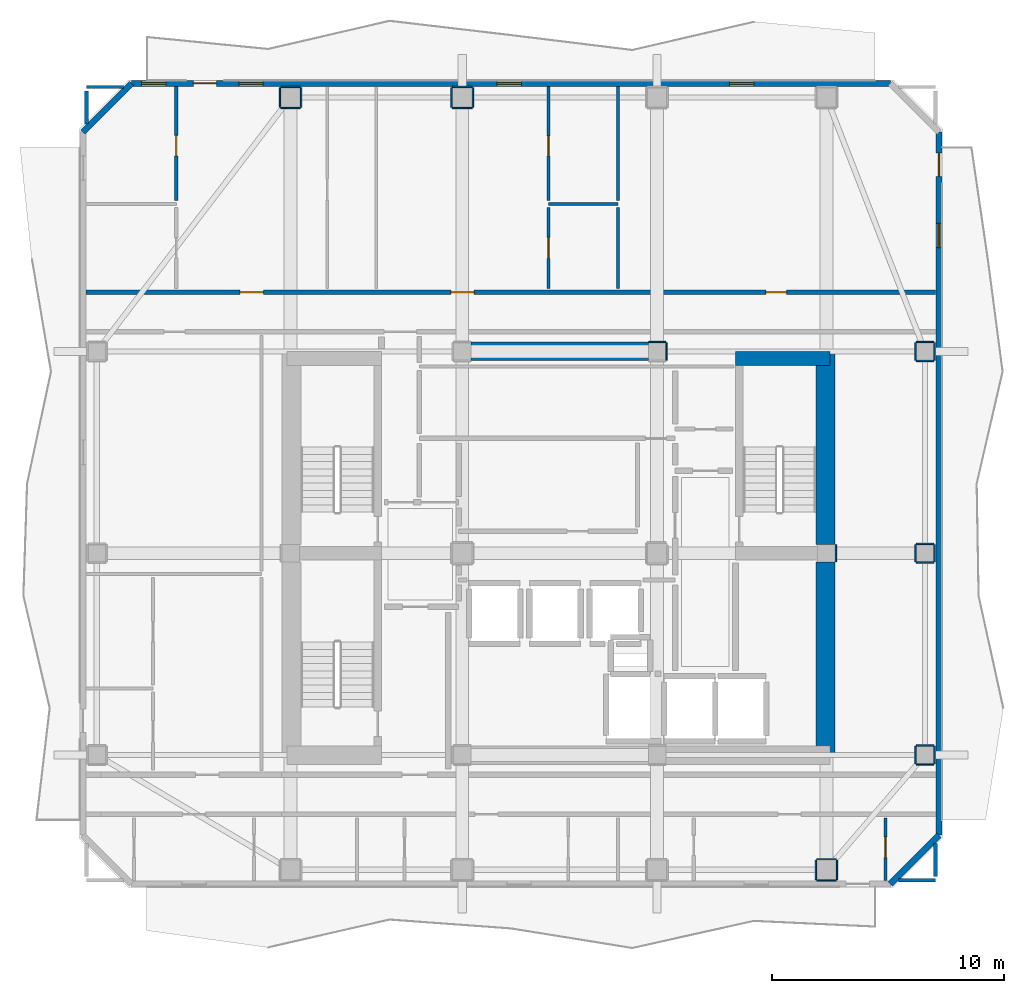
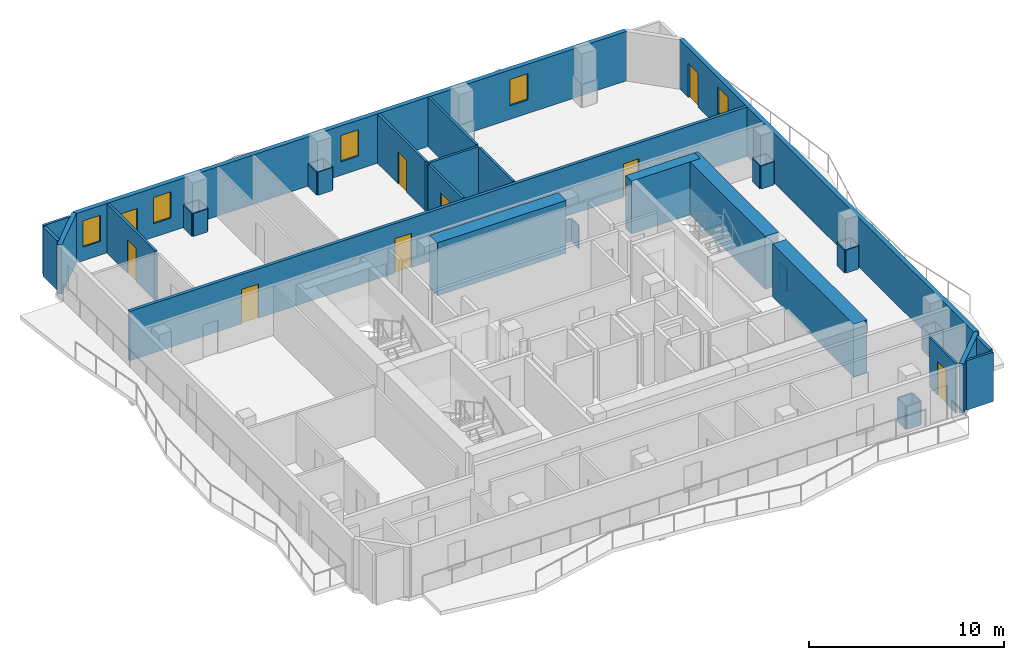
# One storey, part 5 of 10: 47 walls, 9 doors, 5 windows, 14 openings.
"""IFC4 building model written with IfcOpenShell, lengths in metres."""

from ifc_helpers import new_model, si_unit, direction, frame, frame_2d, origin, place, context, subcontext, project, spatial, rectangle, extrude, material, layer, layer_set, type_object, element, fill, save


model = new_model("IFC4")

# Units and contexts
model_context = context("Model", 3, precision=1e-05, world=origin(), true_north=direction((0.0, 1.0)))
body_context = subcontext(model_context, "Body", "Model", "MODEL_VIEW")
ifc_project = project(units=[si_unit("LENGTHUNIT", "METRE"), si_unit("AREAUNIT", "SQUARE_METRE"), si_unit("VOLUMEUNIT", "CUBIC_METRE"), si_unit("PLANEANGLEUNIT", "RADIAN"), si_unit("MASSUNIT", "GRAM", prefix="KILO")], contexts=[model_context])

# Site, building, storey
site_placement = place(None, origin())
site = spatial("IfcSite", under=ifc_project, at=site_placement, CompositionType="ELEMENT")
building_placement = place(site_placement, origin())
building = spatial("IfcBuilding", under=site, at=building_placement, Name="Solanera Arch Residences", CompositionType="ELEMENT")
storey_placement = place(building_placement, frame((0.0, 0.0, 265.56005859375)))
storey = spatial("IfcBuildingStorey", under=building, at=storey_placement, Name="L77", CompositionType="ELEMENT", Elevation=265.56005859375)

# Walls
ifc_material_1 = material(Name="Fire-Rated Gypsum Stud Partition", Category="gypsum")
ifc_layer_1 = layer(ifc_material_1, 0.06005859375)
ifc_layer_set_1 = layer_set([ifc_layer_1], Name="Fire-Rated Gypsum Stud Partition")
wall_type_1 = type_object("IfcWallType", Name="Column Acoustic Furring Wall 60", PredefinedType="PARTITIONING", material=ifc_layer_set_1)
wall_1_placement = place(storey_placement, frame((28.8330078125, 39.806884765625, 0.0), z_axis=(0.0, 0.0, 1.0), x_axis=(1.0, 0.0, 0.0)))
element("IfcWall", 1, at=wall_1_placement, inside=storey, type_object=wall_type_1, Name="L77 Column Furring 4N", PredefinedType="PARTITIONING", context=body_context, shape_type="SweptSolid", body=[
    extrude(rectangle(XDim=0.741943359375, YDim=0.06005859375, at=frame_2d((0.37109375, 0.0))), origin(), (0.0, 0.0, 1.0), 1.449951171875),
])
for number, where, z_axis, x_axis, name in (
    (2, (29.60693359375, 39.02490234375, 0.0), (0.0, 0.0, 1.0), (0.0, 1.0, 0.0), "L77 Column Furring 4E"),
    (3, (36.906982421875, 30.324951171875, 0.0), (0.0, 0.0, 1.0), (0.0, 1.0, 0.0), "L77 Column Furring 6E"),
):
    element("IfcWall", number, at=place(storey_placement, frame(where, z_axis=z_axis, x_axis=x_axis)), inside=storey, type_object=wall_type_1, Name=name, PredefinedType="PARTITIONING", context=body_context, shape_type="SweptSolid", body=[
        extrude(rectangle(XDim=0.75, YDim=0.06005859375, at=frame_2d((0.375, 0.0))), origin(), (0.0, 0.0, 1.0), 1.449951171875),
    ])
for number, where, z_axis, x_axis, name in (
    (4, (12.97509765625, 49.89306640625, 0.0), (0.0, 0.0, 1.0), (1.0, 0.0, 0.0), "L77 Column Furring 10S"),
    (5, (12.97509765625, 50.806884765625, 0.0), (0.0, 0.0, 1.0), (1.0, 0.0, 0.0), "L77 Column Furring 10N"),
    (6, (12.943115234375, 49.925048828125, 0.0), (0.0, 0.0, 1.0), (0.0, 1.0, 0.0), "L77 Column Furring 10W"),
    (7, (13.85693359375, 49.925048828125, 0.0), (0.0, 0.0, 1.0), (0.0, 1.0, 0.0), "L77 Column Furring 10E"),
):
    element("IfcWall", number, at=place(storey_placement, frame(where, z_axis=z_axis, x_axis=x_axis)), inside=storey, type_object=wall_type_1, Name=name, PredefinedType="PARTITIONING", context=body_context, shape_type="SweptSolid", body=[
        extrude(rectangle(XDim=0.849853515625, YDim=0.06005859375, at=frame_2d((0.4248046875, 0.0))), origin(), (0.0, 0.0, 1.0), 1.449951171875),
    ])
for number, where, z_axis, x_axis, name in (
    (8, (20.375, 49.89306640625, 0.0), (0.0, 0.0, 1.0), (1.0, 0.0, 0.0), "L77 Column Furring 12S"),
    (9, (20.375, 50.806884765625, 0.0), (0.0, 0.0, 1.0), (1.0, 0.0, 0.0), "L77 Column Furring 12N"),
):
    element("IfcWall", number, at=place(storey_placement, frame(where, z_axis=z_axis, x_axis=x_axis)), inside=storey, type_object=wall_type_1, Name=name, PredefinedType="PARTITIONING", context=body_context, shape_type="SweptSolid", body=[
        extrude(rectangle(XDim=0.85009765625, YDim=0.06005859375, at=frame_2d((0.425048828125, 0.0))), origin(), (0.0, 0.0, 1.0), 1.449951171875),
    ])
for number, where, z_axis, x_axis, name in (
    (10, (20.343017578125, 49.925048828125, 0.0), (0.0, 0.0, 1.0), (0.0, 1.0, 0.0), "L77 Column Furring 12W"),
    (11, (21.257080078125, 49.925048828125, 0.0), (0.0, 0.0, 1.0), (0.0, 1.0, 0.0), "L77 Column Furring 12E"),
):
    element("IfcWall", number, at=place(storey_placement, frame(where, z_axis=z_axis, x_axis=x_axis)), inside=storey, type_object=wall_type_1, Name=name, PredefinedType="PARTITIONING", context=body_context, shape_type="SweptSolid", body=[
        extrude(rectangle(XDim=0.849853515625, YDim=0.06005859375, at=frame_2d((0.4248046875, 0.0))), origin(), (0.0, 0.0, 1.0), 1.449951171875),
    ])
for number, where, z_axis, x_axis, name in (
    (12, (36.074951171875, 16.593017578125, 0.0), (0.0, 0.0, 1.0), (1.0, 0.0, 0.0), "L77 Column Furring 15S"),
    (13, (36.074951171875, 17.507080078125, 0.0), (0.0, 0.0, 1.0), (1.0, 0.0, 0.0), "L77 Column Furring 15N"),
    (14, (36.04296875, 16.625, 0.0), (0.0, 0.0, 1.0), (0.0, 1.0, 0.0), "L77 Column Furring 15W"),
    (15, (36.95703125, 16.625, 0.0), (0.0, 0.0, 1.0), (0.0, 1.0, 0.0), "L77 Column Furring 15E"),
):
    element("IfcWall", number, at=place(storey_placement, frame(where, z_axis=z_axis, x_axis=x_axis)), inside=storey, type_object=wall_type_1, Name=name, PredefinedType="PARTITIONING", context=body_context, shape_type="SweptSolid", body=[
        extrude(rectangle(XDim=0.85009765625, YDim=0.06005859375, at=frame_2d((0.425048828125, 0.0))), origin(), (0.0, 0.0, 1.0), 1.449951171875),
    ])
for number, where, z_axis, x_axis, name in (
    (16, (40.375, 21.593017578125, 0.0), (0.0, 0.0, 1.0), (1.0, 0.0, 0.0), "L77 Column Furring 18S"),
    (17, (40.375, 22.406982421875, 0.0), (0.0, 0.0, 1.0), (1.0, 0.0, 0.0), "L77 Column Furring 18N"),
    (18, (40.343017578125, 21.625, 0.0), (0.0, 0.0, 1.0), (0.0, 1.0, 0.0), "L77 Column Furring 18W"),
    (19, (41.156982421875, 21.625, 0.0), (0.0, 0.0, 1.0), (0.0, 1.0, 0.0), "L77 Column Furring 18E"),
    (20, (40.375, 30.29296875, 0.0), (0.0, 0.0, 1.0), (1.0, 0.0, 0.0), "L77 Column Furring 20S"),
    (21, (40.375, 31.10693359375, 0.0), (0.0, 0.0, 1.0), (1.0, 0.0, 0.0), "L77 Column Furring 20N"),
    (22, (40.343017578125, 30.324951171875, 0.0), (0.0, 0.0, 1.0), (0.0, 1.0, 0.0), "L77 Column Furring 20W"),
    (23, (41.156982421875, 30.324951171875, 0.0), (0.0, 0.0, 1.0), (0.0, 1.0, 0.0), "L77 Column Furring 20E"),
    (24, (40.375, 38.992919921875, 0.0), (0.0, 0.0, 1.0), (1.0, 0.0, 0.0), "L77 Column Furring 22S"),
    (25, (40.375, 39.806884765625, 0.0), (0.0, 0.0, 1.0), (1.0, 0.0, 0.0), "L77 Column Furring 22N"),
    (26, (40.343017578125, 39.02490234375, 0.0), (0.0, 0.0, 1.0), (0.0, 1.0, 0.0), "L77 Column Furring 22W"),
    (27, (41.156982421875, 39.02490234375, 0.0), (0.0, 0.0, 1.0), (0.0, 1.0, 0.0), "L77 Column Furring 22E"),
):
    element("IfcWall", number, at=place(storey_placement, frame(where, z_axis=z_axis, x_axis=x_axis)), inside=storey, type_object=wall_type_1, Name=name, PredefinedType="PARTITIONING", context=body_context, shape_type="SweptSolid", body=[
        extrude(rectangle(XDim=0.75, YDim=0.06005859375, at=frame_2d((0.375, 0.0))), origin(), (0.0, 0.0, 1.0), 1.449951171875),
    ])
ifc_material_2 = material(Name="Concrete C40/50 (f'c = 45 MPa)", Category="concrete")
ifc_layer_2 = layer(ifc_material_2, 0.60009765625)
ifc_layer_set_2 = layer_set([ifc_layer_2], Name="Concrete C40/50 (f'c = 45 MPa)")
wall_type_2 = type_object("IfcWallType", Name="Core Shear Wall CW-600", PredefinedType="SHEAR", material=ifc_layer_set_2)
wall_2_placement = place(storey_placement, frame((32.580078125, 39.10009765625, 0.0), z_axis=(0.0, 0.0, 1.0), x_axis=(1.0, 0.0, 0.0)))
element("IfcWall", 28, at=wall_2_placement, inside=storey, type_object=wall_type_2, Name="L77 North-East Core Shear Wall", PredefinedType="SHEAR", context=body_context, shape_type="SweptSolid", body=[
    extrude(rectangle(XDim=4.079833984375, YDim=0.60009765625, at=frame_2d((2.0400390625, 0.0))), origin(), (0.0, 0.0, 1.0), 3.31982421875),
])
ifc_material_3 = material(Name="Concrete C40/50 (f'c = 45 MPa)", Category="concrete")
ifc_layer_3 = layer(ifc_material_3, 0.800048828125)
ifc_layer_set_3 = layer_set([ifc_layer_3], Name="Concrete C40/50 (f'c = 45 MPa)")
wall_type_3 = type_object("IfcWallType", Name="Core Shear Wall CW-800", PredefinedType="SHEAR", material=ifc_layer_set_3)
wall_3_placement = place(storey_placement, frame((36.4599609375, 22.0, 0.0), z_axis=(0.0, 0.0, 1.0), x_axis=(0.0, 1.0, 0.0)))
element("IfcWall", 29, at=wall_3_placement, inside=storey, type_object=wall_type_3, Name="L77 East Core South Shear Wall", PredefinedType="SHEAR", context=body_context, shape_type="SweptSolid", body=[
    extrude(rectangle(XDim=8.320068359375, YDim=0.800048828125, at=frame_2d((4.16015625, 0.0))), origin(), (0.0, 0.0, 1.0), 3.31982421875),
])
wall_4_placement = place(storey_placement, frame((36.4599609375, 31.080078125, 0.0), z_axis=(0.0, 0.0, 1.0), x_axis=(0.0, 1.0, 0.0)))
element("IfcWall", 30, at=wall_4_placement, inside=storey, type_object=wall_type_3, Name="L77 East Core North Shear Wall", PredefinedType="SHEAR", context=body_context, shape_type="SweptSolid", body=[
    extrude(rectangle(XDim=8.31982421875, YDim=0.800048828125, at=frame_2d((4.159912109375, 0.0))), origin(), (0.0, 0.0, 1.0), 3.31982421875),
])
wall_5_placement = place(storey_placement, frame((21.179931640625, 39.39990234375, 0.0), z_axis=(0.0, 0.0, 1.0), x_axis=(1.0, 0.0, 0.0)))
element("IfcWall", 31, at=wall_5_placement, inside=storey, type_object=wall_type_3, Name="L77 Central North Core Shear Wall", PredefinedType="SHEAR", context=body_context, shape_type="SweptSolid", body=[
    extrude(rectangle(XDim=7.64013671875, YDim=0.800048828125, at=frame_2d((3.820068359375, 0.0))), origin(), (0.0, 0.0, 1.0), 3.31982421875),
])

# Wall, openings, doors
ifc_material_4 = material(Name="Autoclaved Aerated Concrete Blockwork", Category="masonry")
ifc_layer_4 = layer(ifc_material_4, 0.179931640625)
ifc_layer_set_4 = layer_set([ifc_layer_4], Name="Autoclaved Aerated Concrete Blockwork")
wall_type_4 = type_object("IfcWallType", Name="Corridor Fire Partition 180", PredefinedType="PARTITIONING", material=ifc_layer_set_4)
wall_6_placement = place(storey_placement, frame((4.5869140625, 41.949951171875, 0.0), z_axis=(0.0, 0.0, 1.0), x_axis=(1.0, 0.0, 0.0)))
wall_6 = element("IfcWall", 32, at=wall_6_placement, inside=storey, type_object=wall_type_4, Name="L77 Interior Partition H12", PredefinedType="PARTITIONING", context=body_context, shape_type="SweptSolid", body=[
    extrude(rectangle(XDim=36.6259765625, YDim=0.179931640625, at=frame_2d((18.31298828125, 0.0))), origin(), (0.0, 0.0, 1.0), 3.099853515625),
])
opening_1_placement = place(wall_6_placement, frame((6.638916015625, 0.0, 0.0)))
opening_1 = element("IfcOpeningElement", 33, at=opening_1_placement, cuts=wall_6, Name="Opening DI-01", PredefinedType="OPENING", context=body_context, shape_type="SweptSolid", body=[
    extrude(rectangle(XDim=1.0, YDim=2.14990234375, at=frame_2d((0.5, 1.074951171875))), frame((0.0, 0.10009765625, 0.0), z_axis=(0.0, -1.0, 0.0), x_axis=(1.0, 0.0, 0.0)), (0.0, 0.0, 1.0), 0.1999),
])
opening_2_placement = place(wall_6_placement, frame((15.720947265625, 0.0, 0.0)))
opening_2 = element("IfcOpeningElement", 34, at=opening_2_placement, cuts=wall_6, Name="Opening DI-01", PredefinedType="OPENING", context=body_context, shape_type="SweptSolid", body=[
    extrude(rectangle(XDim=1.0, YDim=2.14990234375, at=frame_2d((0.5, 1.074951171875))), frame((0.0, 0.10009765625, 0.0), z_axis=(0.0, -1.0, 0.0), x_axis=(1.0, 0.0, 0.0)), (0.0, 0.0, 1.0), 0.1999),
])
opening_3_placement = place(wall_6_placement, frame((29.299072265625, 0.0, 0.0)))
opening_3 = element("IfcOpeningElement", 35, at=opening_3_placement, cuts=wall_6, Name="Opening DI-02", PredefinedType="OPENING", context=body_context, shape_type="SweptSolid", body=[
    extrude(rectangle(XDim=0.89990234375, YDim=2.10009765625, at=frame_2d((0.449951171875, 1.050048828125))), frame((0.0, 0.10009765625, 0.0), z_axis=(0.0, -1.0, 0.0), x_axis=(1.0, 0.0, 0.0)), (0.0, 0.0, 1.0), 0.1999),
])
ifc_material_5 = material(Name="Fire-Rated Architectural Hardwood", Category="wood")
door_type_1 = type_object("IfcDoorType", Name="Suite Room Swing Door DI-02", OperationType="NOTDEFINED", PredefinedType="DOOR", material=ifc_material_5)
door_1_placement = place(opening_3_placement, origin())
door_1 = element("IfcDoor", 36, at=door_1_placement, inside=storey, type_object=door_type_1, Name="DR-L77-IN-030", OperationType="SINGLE_SWING_RIGHT", OverallHeight=2.10009765625, OverallWidth=0.89990234375, PredefinedType="DOOR", context=body_context, shape_type="SweptSolid", body=[
    extrude(rectangle(XDim=0.89990234375, YDim=2.10009765625, at=frame_2d((0.449951171875, 1.050048828125))), frame((0.0, 0.02490234375, 0.0), z_axis=(0.0, -1.0, 0.0), x_axis=(1.0, 0.0, 0.0)), (0.0, 0.0, 1.0), 0.050048828125),
])
fill(opening_3, door_1)
ifc_material_6 = material(Name="Fire-Rated Architectural Hardwood", Category="wood")
door_type_2 = type_object("IfcDoorType", Name="Unit Entrance Fire Door DI-01", OperationType="NOTDEFINED", PredefinedType="DOOR", material=ifc_material_6)
door_2_placement = place(opening_1_placement, origin())
door_2 = element("IfcDoor", 37, at=door_2_placement, inside=storey, type_object=door_type_2, Name="DR-L77-IN-023", OperationType="SINGLE_SWING_LEFT", OverallHeight=2.14990234375, OverallWidth=1.0, PredefinedType="DOOR", context=body_context, shape_type="SweptSolid", body=[
    extrude(rectangle(XDim=1.0, YDim=2.14990234375, at=frame_2d((0.5, 1.074951171875))), frame((0.0, 0.02490234375, 0.0), z_axis=(0.0, -1.0, 0.0), x_axis=(1.0, 0.0, 0.0)), (0.0, 0.0, 1.0), 0.050048828125),
])
fill(opening_1, door_2)
door_3_placement = place(opening_2_placement, origin())
door_3 = element("IfcDoor", 38, at=door_3_placement, inside=storey, type_object=door_type_2, Name="DR-L77-IN-027", OperationType="SINGLE_SWING_LEFT", OverallHeight=2.14990234375, OverallWidth=1.0, PredefinedType="DOOR", context=body_context, shape_type="SweptSolid", body=[
    extrude(rectangle(XDim=1.0, YDim=2.14990234375, at=frame_2d((0.5, 1.074951171875))), frame((0.0, 0.02490234375, 0.0), z_axis=(0.0, -1.0, 0.0), x_axis=(1.0, 0.0, 0.0)), (0.0, 0.0, 1.0), 0.050048828125),
])
fill(opening_2, door_3)

# Walls
wall_7_placement = place(storey_placement, frame((4.60009765625, 49.2109375, 0.0), z_axis=(0.0, 0.0, 1.0), x_axis=(0.0, 1.0, 0.0)))
element("IfcWall", 39, at=wall_7_placement, inside=storey, type_object=wall_type_4, Name="L77 Interior Partition V7 2", PredefinedType="PARTITIONING", context=body_context, shape_type="SweptSolid", body=[
    extrude(rectangle(XDim=1.421142578125, YDim=0.179931640625, at=frame_2d((0.71044921875, 0.0))), origin(), (0.0, 0.0, 1.0), 3.099853515625),
])
wall_8_placement = place(storey_placement, frame((41.199951171875, 16.76806640625, 0.0), z_axis=(0.0, 0.0, 1.0), x_axis=(0.0, 1.0, 0.0)))
element("IfcWall", 40, at=wall_8_placement, inside=storey, type_object=wall_type_4, Name="L77 Interior Partition V9", PredefinedType="PARTITIONING", context=body_context, shape_type="SweptSolid", body=[
    extrude(rectangle(XDim=1.4208984375, YDim=0.179931640625, at=frame_2d((0.71044921875, 0.0))), origin(), (0.0, 0.0, 1.0), 3.099853515625),
])
ifc_material_7 = material(Name="Precast Concrete C35/45", Category="concrete")
ifc_layer_5 = layer(ifc_material_7, 0.260009765625)
ifc_layer_set_5 = layer_set([ifc_layer_5], Name="Precast Concrete C35/45")
wall_type_5 = type_object("IfcWallType", Name="Exterior Wall Precast Masonry-Frame 260", PredefinedType="STANDARD", material=ifc_layer_set_5)
wall_9_placement = place(storey_placement, frame((4.445068359375, 48.85498046875, 0.0), z_axis=(0.0, 0.0, 1.0), x_axis=(0.707065676302, 0.707147883682, 0.0)))
element("IfcWall", 41, at=wall_9_placement, inside=storey, type_object=wall_type_5, Name="L77 Tower Exterior Precast Masonry-Frame Wall CH1", PredefinedType="STANDARD", context=body_context, shape_type="SweptSolid", body=[
    extrude(rectangle(XDim=2.9697265625, YDim=0.260009765625, at=frame_2d((1.48486328125, 0.0))), origin(), (0.0, 0.0, 1.0), 3.099853515625),
])

# Wall, openings, door, windows
wall_10_placement = place(storey_placement, frame((6.544921875, 50.955078125, 0.0), z_axis=(0.0, 0.0, 1.0), x_axis=(1.0, 0.0, 0.0)))
wall_10 = element("IfcWall", 42, at=wall_10_placement, inside=storey, type_object=wall_type_5, Name="L77 Tower Exterior Precast Masonry-Frame Wall N", PredefinedType="STANDARD", context=body_context, shape_type="SweptSolid", body=[
    extrude(rectangle(XDim=32.7099609375, YDim=0.260009765625, at=frame_2d((16.35498046875, 0.0))), origin(), (0.0, 0.0, 1.0), 3.099853515625),
])
opening_4_placement = place(wall_10_placement, frame((2.6650390625, 0.0, 0.0)))
opening_4 = element("IfcOpeningElement", 43, at=opening_4_placement, cuts=wall_10, Name="Opening DB-01", PredefinedType="OPENING", context=body_context, shape_type="SweptSolid", body=[
    extrude(rectangle(XDim=1.0, YDim=2.14990234375, at=frame_2d((0.5, 1.074951171875))), frame((0.0, 0.139892578125, 0.0), z_axis=(0.0, -1.0, 0.0), x_axis=(1.0, 0.0, 0.0)), (0.0, 0.0, 1.0), 0.28),
])
opening_5_placement = place(wall_10_placement, frame((4.623046875, 0.0, 0.85009765625)))
opening_5 = element("IfcOpeningElement", 44, at=opening_5_placement, cuts=wall_10, Name="Opening W-07", PredefinedType="OPENING", context=body_context, shape_type="SweptSolid", body=[
    extrude(rectangle(XDim=1.050048828125, YDim=1.64990234375, at=frame_2d((0.52490234375, 0.824951171875))), frame((0.0, 0.139892578125, 0.0), z_axis=(0.0, -1.0, 0.0), x_axis=(1.0, 0.0, 0.0)), (0.0, 0.0, 1.0), 0.28),
])
opening_6_placement = place(wall_10_placement, frame((0.43408203125, 0.0, 0.85009765625)))
opening_6 = element("IfcOpeningElement", 45, at=opening_6_placement, cuts=wall_10, Name="Opening W-07", PredefinedType="OPENING", context=body_context, shape_type="SweptSolid", body=[
    extrude(rectangle(XDim=1.050048828125, YDim=1.64990234375, at=frame_2d((0.52490234375, 0.824951171875))), frame((0.0, 0.139892578125, 0.0), z_axis=(0.0, -1.0, 0.0), x_axis=(1.0, 0.0, 0.0)), (0.0, 0.0, 1.0), 0.28),
])
opening_7_placement = place(wall_10_placement, frame((15.751953125, 0.0, 0.85009765625)))
opening_7 = element("IfcOpeningElement", 46, at=opening_7_placement, cuts=wall_10, Name="Opening W-07", PredefinedType="OPENING", context=body_context, shape_type="SweptSolid", body=[
    extrude(rectangle(XDim=1.050048828125, YDim=1.64990234375, at=frame_2d((0.52490234375, 0.824951171875))), frame((0.0, 0.139892578125, 0.0), z_axis=(0.0, -1.0, 0.0), x_axis=(1.0, 0.0, 0.0)), (0.0, 0.0, 1.0), 0.28),
])
opening_8_placement = place(wall_10_placement, frame((25.780029296875, 0.0, 0.85009765625)))
opening_8 = element("IfcOpeningElement", 47, at=opening_8_placement, cuts=wall_10, Name="Opening W-07", PredefinedType="OPENING", context=body_context, shape_type="SweptSolid", body=[
    extrude(rectangle(XDim=1.050048828125, YDim=1.64990234375, at=frame_2d((0.52490234375, 0.824951171875))), frame((0.0, 0.139892578125, 0.0), z_axis=(0.0, -1.0, 0.0), x_axis=(1.0, 0.0, 0.0)), (0.0, 0.0, 1.0), 0.28),
])
ifc_material_8 = material(Name="Anodised Aluminium Alloy 6063-T6", Category="aluminium")
door_type_3 = type_object("IfcDoorType", Name="Glazed Balcony Swing Door DB-01", OperationType="NOTDEFINED", PredefinedType="DOOR", material=ifc_material_8)
door_4_placement = place(opening_4_placement, origin())
door_4 = element("IfcDoor", 48, at=door_4_placement, inside=storey, type_object=door_type_3, Name="DR-L77-OUT-02", OperationType="SINGLE_SWING_RIGHT", OverallHeight=2.14990234375, OverallWidth=1.0, PredefinedType="DOOR", context=body_context, shape_type="SweptSolid", body=[
    extrude(rectangle(XDim=1.0, YDim=2.14990234375, at=frame_2d((0.5, 1.074951171875))), frame((0.0, 0.02490234375, 0.0), z_axis=(0.0, -1.0, 0.0), x_axis=(1.0, 0.0, 0.0)), (0.0, 0.0, 1.0), 0.050048828125),
])
fill(opening_4, door_4)
ifc_material_9 = material(Name="Double Glazed Low-E Laminated Glass", Category="glass")
window_type = type_object("IfcWindowType", Name="Punched Window W-07", PartitioningType="SINGLE_PANEL", PredefinedType="WINDOW", material=ifc_material_9)
window_1_placement = place(opening_5_placement, origin())
window_1 = element("IfcWindow", 49, at=window_1_placement, inside=storey, type_object=window_type, Name="L77 7704-LIV Punched Window", OverallHeight=1.64990234375, OverallWidth=1.050048828125, PartitioningType="SINGLE_PANEL", PredefinedType="WINDOW", context=body_context, shape_type="SweptSolid", body=[
    extrude(rectangle(XDim=1.050048828125, YDim=1.64990234375, at=frame_2d((0.52490234375, 0.824951171875))), frame((0.0, 0.030029296875, 0.0), z_axis=(0.0, -1.0, 0.0), x_axis=(1.0, 0.0, 0.0)), (0.0, 0.0, 1.0), 0.06005859375),
])
fill(opening_5, window_1)
window_2_placement = place(opening_6_placement, origin())
window_2 = element("IfcWindow", 50, at=window_2_placement, inside=storey, type_object=window_type, Name="L77 7704-BR1 Punched Window", OverallHeight=1.64990234375, OverallWidth=1.050048828125, PartitioningType="SINGLE_PANEL", PredefinedType="WINDOW", context=body_context, shape_type="SweptSolid", body=[
    extrude(rectangle(XDim=1.050048828125, YDim=1.64990234375, at=frame_2d((0.52490234375, 0.824951171875))), frame((0.0, 0.030029296875, 0.0), z_axis=(0.0, -1.0, 0.0), x_axis=(1.0, 0.0, 0.0)), (0.0, 0.0, 1.0), 0.06005859375),
])
fill(opening_6, window_2)
window_3_placement = place(opening_7_placement, origin())
window_3 = element("IfcWindow", 51, at=window_3_placement, inside=storey, type_object=window_type, Name="L77 7705-LIV Punched Window", OverallHeight=1.64990234375, OverallWidth=1.050048828125, PartitioningType="SINGLE_PANEL", PredefinedType="WINDOW", context=body_context, shape_type="SweptSolid", body=[
    extrude(rectangle(XDim=1.050048828125, YDim=1.64990234375, at=frame_2d((0.52490234375, 0.824951171875))), frame((0.0, 0.030029296875, 0.0), z_axis=(0.0, -1.0, 0.0), x_axis=(1.0, 0.0, 0.0)), (0.0, 0.0, 1.0), 0.06005859375),
])
fill(opening_7, window_3)
window_4_placement = place(opening_8_placement, origin())
window_4 = element("IfcWindow", 52, at=window_4_placement, inside=storey, type_object=window_type, Name="L77 AMN-LOUN Punched Window", OverallHeight=1.64990234375, OverallWidth=1.050048828125, PartitioningType="SINGLE_PANEL", PredefinedType="WINDOW", context=body_context, shape_type="SweptSolid", body=[
    extrude(rectangle(XDim=1.050048828125, YDim=1.64990234375, at=frame_2d((0.52490234375, 0.824951171875))), frame((0.0, 0.030029296875, 0.0), z_axis=(0.0, -1.0, 0.0), x_axis=(1.0, 0.0, 0.0)), (0.0, 0.0, 1.0), 0.06005859375),
])
fill(opening_8, window_4)

# Wall, openings, door, window
wall_11_placement = place(storey_placement, frame((41.35498046875, 48.85498046875, 0.0), z_axis=(0.0, 0.0, 1.0), x_axis=(0.0, -1.0, 0.0)))
wall_11 = element("IfcWall", 53, at=wall_11_placement, inside=storey, type_object=wall_type_5, Name="L77 Tower Exterior Precast Masonry-Frame Wall E", PredefinedType="STANDARD", context=body_context, shape_type="SweptSolid", body=[
    extrude(rectangle(XDim=30.31005859375, YDim=0.260009765625, at=frame_2d((15.155029296875, 0.0))), origin(), (0.0, 0.0, 1.0), 3.099853515625),
])
opening_9_placement = place(wall_11_placement, frame((0.909912109375, 0.0, 0.0)))
opening_9 = element("IfcOpeningElement", 54, at=opening_9_placement, cuts=wall_11, Name="Opening DB-01", PredefinedType="OPENING", context=body_context, shape_type="SweptSolid", body=[
    extrude(rectangle(XDim=1.0, YDim=2.14990234375, at=frame_2d((0.5, 1.074951171875))), frame((0.0, 0.139892578125, 0.0), z_axis=(0.0, -1.0, 0.0), x_axis=(1.0, 0.0, 0.0)), (0.0, 0.0, 1.0), 0.28),
])
opening_10_placement = place(wall_11_placement, frame((3.931884765625, 0.0, 0.85009765625)))
opening_10 = element("IfcOpeningElement", 55, at=opening_10_placement, cuts=wall_11, Name="Opening W-07", PredefinedType="OPENING", context=body_context, shape_type="SweptSolid", body=[
    extrude(rectangle(XDim=1.050048828125, YDim=1.64990234375, at=frame_2d((0.52490234375, 0.824951171875))), frame((0.0, 0.139892578125, 0.0), z_axis=(0.0, -1.0, 0.0), x_axis=(1.0, 0.0, 0.0)), (0.0, 0.0, 1.0), 0.28),
])
door_5_placement = place(opening_9_placement, origin())
door_5 = element("IfcDoor", 56, at=door_5_placement, inside=storey, type_object=door_type_3, Name="DR-L77-OUT-03", OperationType="SINGLE_SWING_LEFT", OverallHeight=2.14990234375, OverallWidth=1.0, PredefinedType="DOOR", context=body_context, shape_type="SweptSolid", body=[
    extrude(rectangle(XDim=1.0, YDim=2.14990234375, at=frame_2d((0.5, 1.074951171875))), frame((0.0, 0.02490234375, 0.0), z_axis=(0.0, -1.0, 0.0), x_axis=(1.0, 0.0, 0.0)), (0.0, 0.0, 1.0), 0.050048828125),
])
fill(opening_9, door_5)
window_5_placement = place(opening_10_placement, origin())
window_5 = element("IfcWindow", 57, at=window_5_placement, inside=storey, type_object=window_type, Name="L77 AMN-LOUN Punched Window", OverallHeight=1.64990234375, OverallWidth=1.050048828125, PartitioningType="SINGLE_PANEL", PredefinedType="WINDOW", context=body_context, shape_type="SweptSolid", body=[
    extrude(rectangle(XDim=1.050048828125, YDim=1.64990234375, at=frame_2d((0.52490234375, 0.824951171875))), frame((0.0, 0.030029296875, 0.0), z_axis=(0.0, -1.0, 0.0), x_axis=(1.0, 0.0, 0.0)), (0.0, 0.0, 1.0), 0.06005859375),
])
fill(opening_10, window_5)

# Wall
wall_12_placement = place(storey_placement, frame((41.35498046875, 18.544921875, 0.0), z_axis=(0.0, 0.0, 1.0), x_axis=(-0.707147883682, -0.707065676302, 0.0)))
element("IfcWall", 58, at=wall_12_placement, inside=storey, type_object=wall_type_5, Name="L77 Tower Exterior Precast Masonry-Frame Wall CH5", PredefinedType="STANDARD", context=body_context, shape_type="SweptSolid", body=[
    extrude(rectangle(XDim=2.9697265625, YDim=0.260009765625, at=frame_2d((1.48486328125, 0.0))), origin(), (0.0, 0.0, 1.0), 3.099853515625),
])

# Wall, opening, door
ifc_material_10 = material(Name="Fire-Rated Gypsum Stud Partition", Category="gypsum")
ifc_layer_6 = layer(ifc_material_10, 0.1201171875)
ifc_layer_set_6 = layer_set([ifc_layer_6], Name="Fire-Rated Gypsum Stud Partition")
wall_type_6 = type_object("IfcWallType", Name="Unit Drywall Partition 120", PredefinedType="PARTITIONING", material=ifc_layer_set_6)
wall_13_placement = place(storey_placement, frame((39.050048828125, 16.5869140625, 0.0), z_axis=(0.0, 0.0, 1.0), x_axis=(0.0, 1.0, 0.0)))
wall_13 = element("IfcWall", 59, at=wall_13_placement, inside=storey, type_object=wall_type_6, Name="L77 Interior Partition V25", PredefinedType="PARTITIONING", context=body_context, shape_type="SweptSolid", body=[
    extrude(rectangle(XDim=2.705078125, YDim=0.1201171875, at=frame_2d((1.3525390625, 0.0))), origin(), (0.0, 0.0, 1.0), 3.099853515625),
])
opening_11_placement = place(wall_13_placement, frame((0.988037109375, 0.0, 0.0)))
opening_11 = element("IfcOpeningElement", 60, at=opening_11_placement, cuts=wall_13, Name="Opening DI-02", PredefinedType="OPENING", context=body_context, shape_type="SweptSolid", body=[
    extrude(rectangle(XDim=0.89990234375, YDim=2.10009765625, at=frame_2d((0.449951171875, 1.050048828125))), frame((0.0, 0.070068359375, 0.0), z_axis=(0.0, -1.0, 0.0), x_axis=(1.0, 0.0, 0.0)), (0.0, 0.0, 1.0), 0.1401),
])
door_6_placement = place(opening_11_placement, origin())
door_6 = element("IfcDoor", 61, at=door_6_placement, inside=storey, type_object=door_type_1, Name="DR-L77-IN-022", OperationType="SINGLE_SWING_RIGHT", OverallHeight=2.10009765625, OverallWidth=0.89990234375, PredefinedType="DOOR", context=body_context, shape_type="SweptSolid", body=[
    extrude(rectangle(XDim=0.89990234375, YDim=2.10009765625, at=frame_2d((0.449951171875, 1.050048828125))), frame((0.0, 0.02490234375, 0.0), z_axis=(0.0, -1.0, 0.0), x_axis=(1.0, 0.0, 0.0)), (0.0, 0.0, 1.0), 0.050048828125),
])
fill(opening_11, door_6)

# Walls
ifc_material_11 = material(Name="Autoclaved Aerated Concrete Blockwork", Category="masonry")
ifc_layer_7 = layer(ifc_material_11, 0.139892578125)
ifc_layer_set_7 = layer_set([ifc_layer_7], Name="Autoclaved Aerated Concrete Blockwork")
wall_type_7 = type_object("IfcWallType", Name="Wet-Room Partition 140", PredefinedType="PARTITIONING", material=ifc_layer_set_7)
wall_14_placement = place(storey_placement, frame((39.611083984375, 16.60009765625, 0.0), z_axis=(0.0, 0.0, 1.0), x_axis=(1.0, 0.0, 0.0)))
element("IfcWall", 62, at=wall_14_placement, inside=storey, type_object=wall_type_7, Name="L77 Interior Partition H13 2", PredefinedType="PARTITIONING", context=body_context, shape_type="SweptSolid", body=[
    extrude(rectangle(XDim=1.5888671875, YDim=0.139892578125, at=frame_2d((0.79443359375, 0.0))), origin(), (0.0, 0.0, 1.0), 3.099853515625),
])
wall_15_placement = place(storey_placement, frame((24.52001953125, 45.756103515625, 0.0), z_axis=(0.0, 0.0, 1.0), x_axis=(1.0, 0.0, 0.0)))
element("IfcWall", 63, at=wall_15_placement, inside=storey, type_object=wall_type_7, Name="L77 Interior Partition H17", PredefinedType="PARTITIONING", context=body_context, shape_type="SweptSolid", body=[
    extrude(rectangle(XDim=3.0, YDim=0.139892578125, at=frame_2d((1.5, 0.0))), origin(), (0.0, 0.0, 1.0), 3.099853515625),
])
wall_16_placement = place(storey_placement, frame((4.60009765625, 50.800048828125, 0.0), z_axis=(0.0, 0.0, 1.0), x_axis=(1.0, 0.0, 0.0)))
element("IfcWall", 64, at=wall_16_placement, inside=storey, type_object=wall_type_7, Name="L77 Interior Partition H18 1", PredefinedType="PARTITIONING", context=body_context, shape_type="SweptSolid", body=[
    extrude(rectangle(XDim=1.5888671875, YDim=0.139892578125, at=frame_2d((0.79443359375, 0.0))), origin(), (0.0, 0.0, 1.0), 3.099853515625),
])

# Wall, opening, door
wall_17_placement = place(storey_placement, frame((8.472900390625, 45.904052734375, 0.0), z_axis=(0.0, 0.0, 1.0), x_axis=(0.0, 1.0, 0.0)))
wall_17 = element("IfcWall", 65, at=wall_17_placement, inside=storey, type_object=wall_type_7, Name="L77 Interior Partition V13 2", PredefinedType="PARTITIONING", context=body_context, shape_type="SweptSolid", body=[
    extrude(rectangle(XDim=4.908935546875, YDim=0.139892578125, at=frame_2d((2.45458984375, 0.0))), origin(), (0.0, 0.0, 1.0), 3.099853515625),
])
opening_12_placement = place(wall_17_placement, frame((1.910888671875, 0.0, 0.0)))
opening_12 = element("IfcOpeningElement", 66, at=opening_12_placement, cuts=wall_17, Name="Opening DI-03", PredefinedType="OPENING", context=body_context, shape_type="SweptSolid", body=[
    extrude(rectangle(XDim=0.89990234375, YDim=2.10009765625, at=frame_2d((0.449951171875, 1.050048828125))), frame((0.0, 0.079833984375, 0.0), z_axis=(0.0, -1.0, 0.0), x_axis=(1.0, 0.0, 0.0)), (0.0, 0.0, 1.0), 0.1599),
])
ifc_material_12 = material(Name="Fire-Rated Architectural Hardwood", Category="wood")
door_type_4 = type_object("IfcDoorType", Name="Bedroom Swing Door DI-03", OperationType="NOTDEFINED", PredefinedType="DOOR", material=ifc_material_12)
door_7_placement = place(opening_12_placement, origin())
door_7 = element("IfcDoor", 67, at=door_7_placement, inside=storey, type_object=door_type_4, Name="DR-L77-IN-025", OperationType="SINGLE_SWING_LEFT", OverallHeight=2.10009765625, OverallWidth=0.89990234375, PredefinedType="DOOR", context=body_context, shape_type="SweptSolid", body=[
    extrude(rectangle(XDim=0.89990234375, YDim=2.10009765625, at=frame_2d((0.449951171875, 1.050048828125))), frame((0.0, 0.02490234375, 0.0), z_axis=(0.0, -1.0, 0.0), x_axis=(1.0, 0.0, 0.0)), (0.0, 0.0, 1.0), 0.050048828125),
])
fill(opening_12, door_7)

wall_18_placement = place(storey_placement, frame((24.52001953125, 42.117919921875, 0.0), z_axis=(0.0, 0.0, 1.0), x_axis=(0.0, 1.0, 0.0)))
wall_18 = element("IfcWall", 68, at=wall_18_placement, inside=storey, type_object=wall_type_7, Name="L77 Interior Partition V16 1", PredefinedType="PARTITIONING", context=body_context, shape_type="SweptSolid", body=[
    extrude(rectangle(XDim=3.489990234375, YDim=0.139892578125, at=frame_2d((1.7451171875, 0.0))), origin(), (0.0, 0.0, 1.0), 3.099853515625),
])
opening_13_placement = place(wall_18_placement, frame((1.298095703125, 0.0, 0.0)))
opening_13 = element("IfcOpeningElement", 69, at=opening_13_placement, cuts=wall_18, Name="Opening DI-02", PredefinedType="OPENING", context=body_context, shape_type="SweptSolid", body=[
    extrude(rectangle(XDim=0.89990234375, YDim=2.10009765625, at=frame_2d((0.449951171875, 1.050048828125))), frame((0.0, 0.079833984375, 0.0), z_axis=(0.0, -1.0, 0.0), x_axis=(1.0, 0.0, 0.0)), (0.0, 0.0, 1.0), 0.1599),
])
door_8_placement = place(opening_13_placement, origin())
door_8 = element("IfcDoor", 70, at=door_8_placement, inside=storey, type_object=door_type_1, Name="DR-L77-IN-028", OperationType="SINGLE_SWING_RIGHT", OverallHeight=2.10009765625, OverallWidth=0.89990234375, PredefinedType="DOOR", context=body_context, shape_type="SweptSolid", body=[
    extrude(rectangle(XDim=0.89990234375, YDim=2.10009765625, at=frame_2d((0.449951171875, 1.050048828125))), frame((0.0, 0.02490234375, 0.0), z_axis=(0.0, -1.0, 0.0), x_axis=(1.0, 0.0, 0.0)), (0.0, 0.0, 1.0), 0.050048828125),
])
fill(opening_13, door_8)

wall_19_placement = place(storey_placement, frame((24.52001953125, 45.904052734375, 0.0), z_axis=(0.0, 0.0, 1.0), x_axis=(0.0, 1.0, 0.0)))
wall_19 = element("IfcWall", 71, at=wall_19_placement, inside=storey, type_object=wall_type_7, Name="L77 Interior Partition V16 2", PredefinedType="PARTITIONING", context=body_context, shape_type="SweptSolid", body=[
    extrude(rectangle(XDim=4.908935546875, YDim=0.139892578125, at=frame_2d((2.45458984375, 0.0))), origin(), (0.0, 0.0, 1.0), 3.099853515625),
])
opening_14_placement = place(wall_19_placement, frame((1.930908203125, 0.0, 0.0)))
opening_14 = element("IfcOpeningElement", 72, at=opening_14_placement, cuts=wall_19, Name="Opening DI-05", PredefinedType="OPENING", context=body_context, shape_type="SweptSolid", body=[
    extrude(rectangle(XDim=0.860107421875, YDim=2.02001953125, at=frame_2d((0.43017578125, 1.010009765625))), frame((0.0, 0.079833984375, 0.0), z_axis=(0.0, -1.0, 0.0), x_axis=(1.0, 0.0, 0.0)), (0.0, 0.0, 1.0), 0.1599),
])
ifc_material_13 = material(Name="Fire-Rated Architectural Hardwood", Category="wood")
door_type_5 = type_object("IfcDoorType", Name="Bathroom Swing Door DI-05", OperationType="NOTDEFINED", PredefinedType="DOOR", material=ifc_material_13)
door_9_placement = place(opening_14_placement, origin())
door_9 = element("IfcDoor", 73, at=door_9_placement, inside=storey, type_object=door_type_5, Name="DR-L77-IN-029", OperationType="SINGLE_SWING_LEFT", OverallHeight=2.02001953125, OverallWidth=0.860107421875, PredefinedType="DOOR", context=body_context, shape_type="SweptSolid", body=[
    extrude(rectangle(XDim=0.860107421875, YDim=2.02001953125, at=frame_2d((0.43017578125, 1.010009765625))), frame((0.0, 0.02490234375, 0.0), z_axis=(0.0, -1.0, 0.0), x_axis=(1.0, 0.0, 0.0)), (0.0, 0.0, 1.0), 0.050048828125),
])
fill(opening_14, door_9)

# Walls
wall_20_placement = place(storey_placement, frame((27.52001953125, 42.117919921875, 0.0), z_axis=(0.0, 0.0, 1.0), x_axis=(0.0, 1.0, 0.0)))
element("IfcWall", 74, at=wall_20_placement, inside=storey, type_object=wall_type_7, Name="L77 Interior Partition V18 1", PredefinedType="PARTITIONING", context=body_context, shape_type="SweptSolid", body=[
    extrude(rectangle(XDim=3.489990234375, YDim=0.139892578125, at=frame_2d((1.7451171875, 0.0))), origin(), (0.0, 0.0, 1.0), 3.099853515625),
])
wall_21_placement = place(storey_placement, frame((27.52001953125, 45.904052734375, 0.0), z_axis=(0.0, 0.0, 1.0), x_axis=(0.0, 1.0, 0.0)))
element("IfcWall", 75, at=wall_21_placement, inside=storey, type_object=wall_type_7, Name="L77 Interior Partition V18 2", PredefinedType="PARTITIONING", context=body_context, shape_type="SweptSolid", body=[
    extrude(rectangle(XDim=4.908935546875, YDim=0.139892578125, at=frame_2d((2.45458984375, 0.0))), origin(), (0.0, 0.0, 1.0), 3.099853515625),
])

save(model, "model.ifc")
